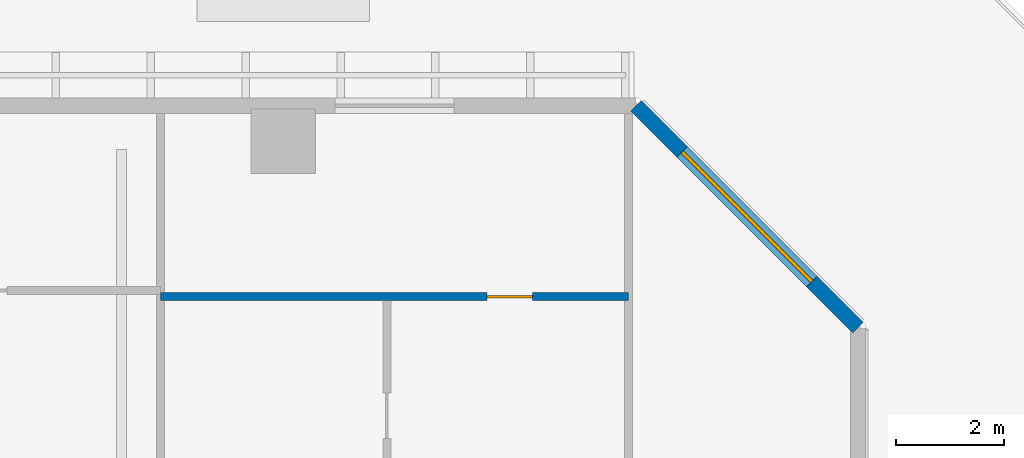
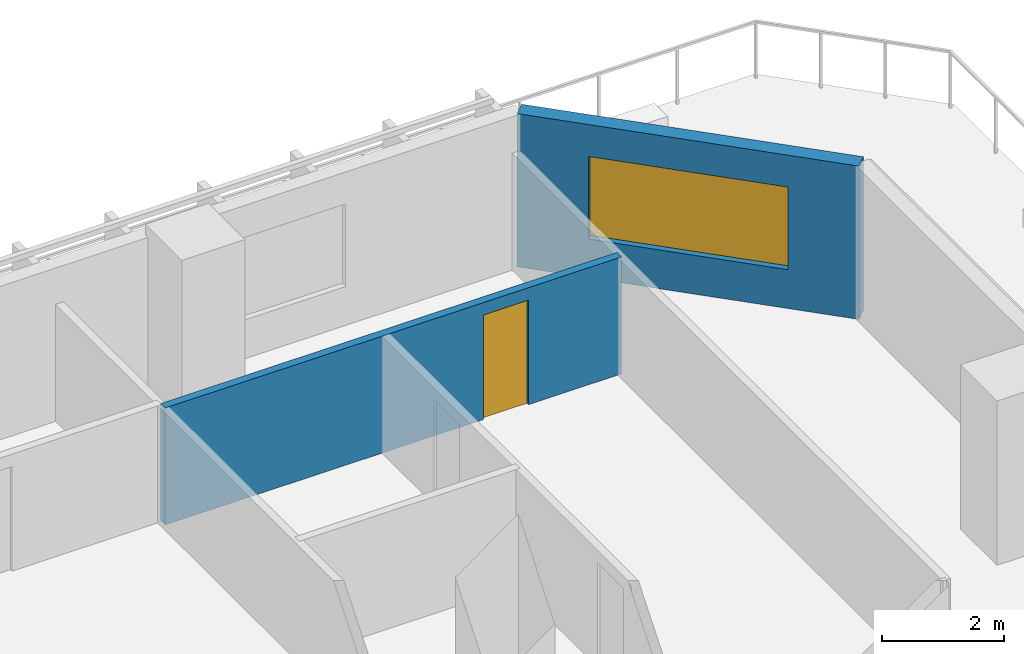
# One storey, part 12 of 23: 2 walls, 1 door, 1 window, 2 openings.
"""IFC4 building model written with IfcOpenShell, lengths in metres."""

from ifc_helpers import new_model, si_unit, direction, frame, frame_2d, origin, place, context, subcontext, project, spatial, rectangle, extrude, material, layer, layer_set, type_object, element, fill, save


model = new_model("IFC4")

# Units and contexts
model_context = context("Model", 3, precision=1e-05, world=origin(), true_north=direction((0.0, 1.0)))
body_context = subcontext(model_context, "Body", "Model", "MODEL_VIEW")
ifc_project = project(units=[si_unit("LENGTHUNIT", "METRE"), si_unit("AREAUNIT", "SQUARE_METRE"), si_unit("VOLUMEUNIT", "CUBIC_METRE"), si_unit("PLANEANGLEUNIT", "RADIAN"), si_unit("MASSUNIT", "GRAM", prefix="KILO")], contexts=[model_context])

# Site, building, storey
site_placement = place(None, origin())
site = spatial("IfcSite", under=ifc_project, at=site_placement, CompositionType="ELEMENT")
building_placement = place(site_placement, origin())
building = spatial("IfcBuilding", under=site, at=building_placement, Name="Tanjung Sevakor Pilgrim Tower", CompositionType="ELEMENT")
storey_placement = place(building_placement, frame((0.0, 0.0, 29.0400390625)))
storey = spatial("IfcBuildingStorey", under=building, at=storey_placement, Name="L07", CompositionType="ELEMENT", Elevation=29.0400390625)

# Wall, opening, window
ifc_material_1 = material(Name="Precast concrete C45/55", Category="concrete")
ifc_layer_1 = layer(ifc_material_1, 0.280029296875)
ifc_layer_set_1 = layer_set([ifc_layer_1], Name="WT-EW-STN2")
wall_type_1 = type_object("IfcWallType", Name="WT-EW-STN2", PredefinedType="SOLIDWALL", material=ifc_layer_set_1)
wall_1_placement = place(storey_placement, frame((100.659912109375, 55.342041015625, 0.0), z_axis=(0.0, 0.0, 1.0), x_axis=(-0.707106781187, 0.707106781187, 0.0)))
wall_1 = element("IfcWall", 1, at=wall_1_placement, inside=storey, type_object=wall_type_1, Name="L07 MAIN Sculpted Corner Wall 7", PredefinedType="SOLIDWALL", context=body_context, shape_type="SweptSolid", body=[
    extrude(rectangle(XDim=5.82373046875, YDim=0.280029296875, at=frame_2d((2.911865234375, 0.0))), origin(), (0.0, 0.0, 1.0), 3.080078125),
])
opening_1_placement = place(wall_1_placement, frame((1.2119140625, 0.0, 0.780029296875)))
opening_1 = element("IfcOpeningElement", 2, at=opening_1_placement, cuts=wall_1, Name="Opening WN-CHM-1660", PredefinedType="OPENING", context=body_context, shape_type="SweptSolid", body=[
    extrude(rectangle(XDim=3.39990234375, YDim=1.659912109375, at=frame_2d((1.699951171875, 0.830078125))), frame((0.0, 0.14990234375, 0.0), z_axis=(0.0, -1.0, 0.0), x_axis=(1.0, 0.0, 0.0)), (0.0, 0.0, 1.0), 0.300048828125),
])
ifc_material_2 = material(Name="Thermally Broken Aluminium and Low-E Glass", Category="aluminium")
window_type = type_object("IfcWindowType", Name="WTYP-WN-CHM-1660", PartitioningType="DOUBLE_PANEL_VERTICAL", PredefinedType="WINDOW", material=ifc_material_2)
window_placement = place(opening_1_placement, origin())
window = element("IfcWindow", 3, at=window_placement, inside=storey, type_object=window_type, Name="L07 Facade Window 01", OverallHeight=1.659912109375, OverallWidth=3.39990234375, PartitioningType="SINGLE_PANEL", PredefinedType="WINDOW", context=body_context, shape_type="SweptSolid", body=[
    extrude(rectangle(XDim=3.39990234375, YDim=1.659912109375, at=frame_2d((1.699951171875, 0.830078125))), frame((0.0, 0.030029296875, 0.0), z_axis=(0.0, -1.0, 0.0), x_axis=(1.0, 0.0, 0.0)), (0.0, 0.0, 1.0), 0.06005859375),
])
fill(opening_1, window)

# Wall, opening, door
ifc_material_3 = material(Name="Gypsum Board Partition", Category="gypsum board")
ifc_layer_2 = layer(ifc_material_3, 0.14990234375)
ifc_layer_set_2 = layer_set([ifc_layer_2], Name="WT-PART-150")
wall_type_2 = type_object("IfcWallType", Name="WT-PART-150", PredefinedType="PARTITIONING", material=ifc_layer_set_2)
wall_2_placement = place(storey_placement, frame((87.7236328125, 55.919921875, 0.0), z_axis=(0.0, 0.0, 1.0), x_axis=(1.0, 0.0, 0.0)))
wall_2 = element("IfcWall", 4, at=wall_2_placement, inside=storey, type_object=wall_type_2, Name="L07 Partition IW-L07-110", PredefinedType="PARTITIONING", context=body_context, shape_type="SweptSolid", body=[
    extrude(rectangle(XDim=8.67626953125, YDim=0.14990234375, at=frame_2d((4.338134765625, 0.0))), origin(), (0.0, 0.0, 1.0), 2.35009765625),
])
opening_2_placement = place(wall_2_placement, frame((6.051513671875, 0.0, 0.0)))
opening_2 = element("IfcOpeningElement", 5, at=opening_2_placement, cuts=wall_2, Name="Opening ID-WC1", PredefinedType="OPENING", context=body_context, shape_type="SweptSolid", body=[
    extrude(rectangle(XDim=0.85009765625, YDim=2.10009765625, at=frame_2d((0.425048828125, 1.050048828125))), frame((0.0, 0.0849609375, 0.0), z_axis=(0.0, -1.0, 0.0), x_axis=(1.0, 0.0, 0.0)), (0.0, 0.0, 1.0), 0.169921875),
])
ifc_material_4 = material(Name="Moisture-Resistant Timber", Category="wood")
door_type = type_object("IfcDoorType", Name="DT-INT-850", OperationType="NOTDEFINED", PredefinedType="DOOR", material=ifc_material_4)
door_placement = place(opening_2_placement, origin())
door = element("IfcDoor", 6, at=door_placement, inside=storey, type_object=door_type, Name="Residence Bedroom Door", OperationType="SINGLE_SWING_LEFT", OverallHeight=2.10009765625, OverallWidth=0.85009765625, PredefinedType="DOOR", context=body_context, shape_type="SweptSolid", body=[
    extrude(rectangle(XDim=0.85009765625, YDim=2.10009765625, at=frame_2d((0.425048828125, 1.050048828125))), frame((0.0, 0.02490234375, 0.0), z_axis=(0.0, -1.0, 0.0), x_axis=(1.0, 0.0, 0.0)), (0.0, 0.0, 1.0), 0.050048828125),
])
fill(opening_2, door)

save(model, "model.ifc")
